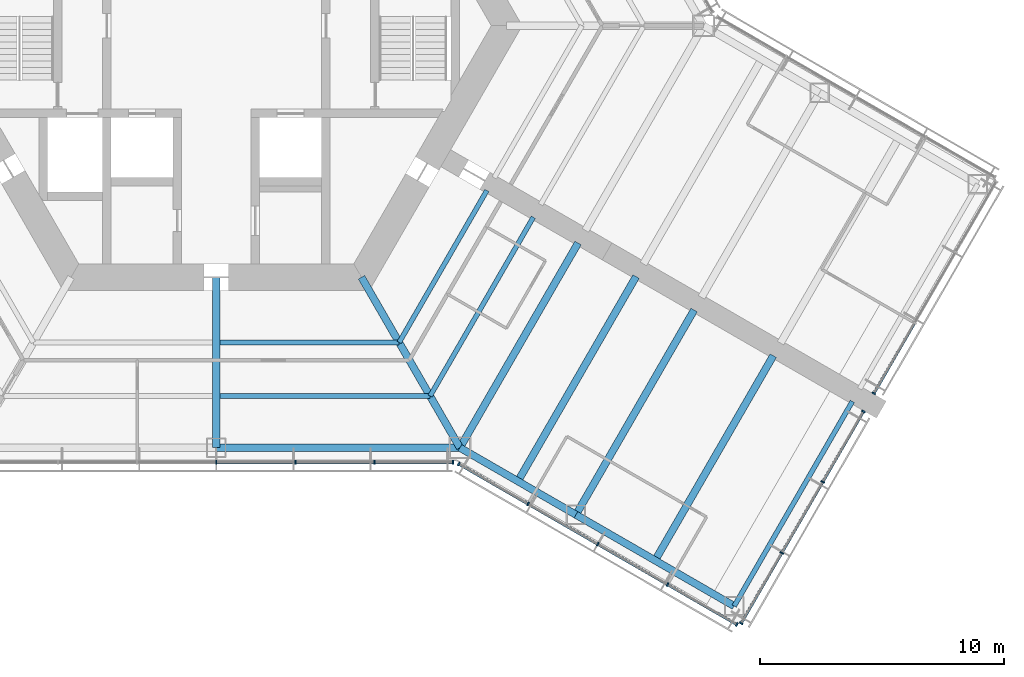
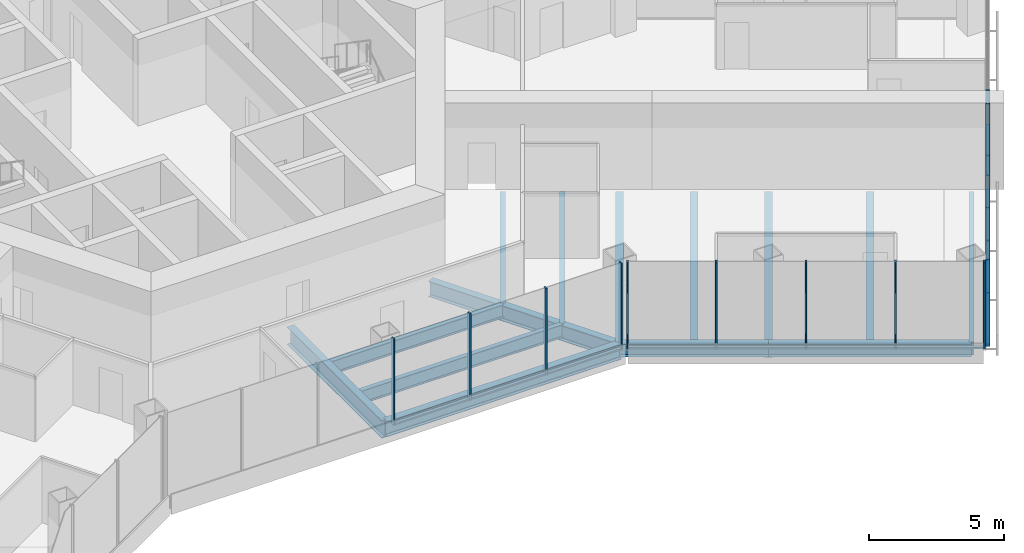
# One storey, part 5 of 19: 25 members, 14 beams, 4 elements without a shape of their own.
"""IFC4 building model written with IfcOpenShell, lengths in metres."""

from ifc_helpers import new_model, si_unit, direction, frame, origin, origin_2d, place, context, subcontext, project, spatial, rectangle, i_section, extrude, material, material_profile, profile_set, type_object, element, aggregate, save


model = new_model("IFC4")

# Units and contexts
model_context = context("Model", 3, precision=1e-05, world=origin(), true_north=direction((0.0, 1.0)))
body_context = subcontext(model_context, "Body", "Model", "MODEL_VIEW")
ifc_project = project(units=[si_unit("LENGTHUNIT", "METRE"), si_unit("AREAUNIT", "SQUARE_METRE"), si_unit("VOLUMEUNIT", "CUBIC_METRE"), si_unit("PLANEANGLEUNIT", "RADIAN"), si_unit("MASSUNIT", "GRAM", prefix="KILO")], contexts=[model_context])

# Site, building, storey
site_placement = place(None, origin())
site = spatial("IfcSite", under=ifc_project, at=site_placement, CompositionType="ELEMENT")
building_placement = place(site_placement, origin())
building = spatial("IfcBuilding", under=site, at=building_placement, Name="Kasaneha Research Tower", CompositionType="ELEMENT")
storey_placement = place(building_placement, frame((0.0, 0.0, 100.199951171875)))
storey = spatial("IfcBuildingStorey", under=building, at=storey_placement, Name="L25", CompositionType="ELEMENT", Elevation=100.199951171875)

# Beams
ifc_material_1 = material(Name="Steel SN490B", Category="steel")
ifc_material_profile_1 = material_profile(ifc_material_1, i_section(OverallWidth=0.199951171875, OverallDepth=0.60009765625, WebThickness=0.010986328125, FlangeThickness=0.01708984375, FilletRadius=0.012939453125, at=origin_2d()), Name="H-600x200x11x17")
ifc_profile_set_1 = profile_set([ifc_material_profile_1], Name="Steel SN490B")
beam_type_1 = type_object("IfcBeamType", Name="B1-3 secondary beam H-600x200x11x17", PredefinedType="JOIST", material=ifc_profile_set_1)
beam_1_placement = place(storey_placement, frame((7.505615234375, -13.0, -0.449951171875), z_axis=(-1.0, 0.0, 0.0), x_axis=(0.0, -1.0, 0.0)))
element("IfcBeam", 1, at=beam_1_placement, inside=storey, type_object=beam_type_1, Name="Secondary beam RS270R1 L25", PredefinedType="JOIST", context=body_context, shape_type="SweptSolid", body=[
    extrude(i_section(OverallWidth=0.199951171875, OverallDepth=0.60009765625, WebThickness=0.010986328125, FlangeThickness=0.01708984375, FilletRadius=0.012939453125, at=origin_2d()), origin(), (0.0, 0.0, 1.0), 7.355712890625),
])
beam_2_placement = place(storey_placement, frame((8.775634765625, -15.199951171875, -0.449951171875), z_axis=(-1.0, 0.0, 0.0), x_axis=(0.0, -1.0, 0.0)))
element("IfcBeam", 2, at=beam_2_placement, inside=storey, type_object=beam_type_1, Name="Secondary beam RS270R2 L25", PredefinedType="JOIST", context=body_context, shape_type="SweptSolid", body=[
    extrude(i_section(OverallWidth=0.199951171875, OverallDepth=0.60009765625, WebThickness=0.010986328125, FlangeThickness=0.01708984375, FilletRadius=0.012939453125, at=origin_2d()), origin(), (0.0, 0.0, 1.0), 8.625732421875),
])
beam_3_placement = place(storey_placement, frame((7.505615234375, -13.0, -0.449951171875), z_axis=(0.499998147991, 0.86602647304, 0.0), x_axis=(-0.86602647304, 0.499998147991, 0.0)))
element("IfcBeam", 3, at=beam_3_placement, inside=storey, type_object=beam_type_1, Name="Secondary beam RS330L1 L25", PredefinedType="JOIST", context=body_context, shape_type="SweptSolid", body=[
    extrude(i_section(OverallWidth=0.199951171875, OverallDepth=0.60009765625, WebThickness=0.010986328125, FlangeThickness=0.01708984375, FilletRadius=0.012939453125, at=origin_2d()), origin(), (0.0, 0.0, 1.0), 7.20556640625),
])
beam_4_placement = place(storey_placement, frame((8.775634765625, -15.199951171875, -0.449951171875), z_axis=(0.500020829043, 0.866013377797, 0.0), x_axis=(-0.866013377797, 0.500020829043, 0.0)))
element("IfcBeam", 4, at=beam_4_placement, inside=storey, type_object=beam_type_1, Name="Secondary beam RS330L2 L25", PredefinedType="JOIST", context=body_context, shape_type="SweptSolid", body=[
    extrude(i_section(OverallWidth=0.199951171875, OverallDepth=0.60009765625, WebThickness=0.010986328125, FlangeThickness=0.01708984375, FilletRadius=0.012939453125, at=origin_2d()), origin(), (0.0, 0.0, 1.0), 8.475830078125),
])
ifc_material_2 = material(Name="Steel SN490B", Category="steel")
ifc_material_profile_2 = material_profile(ifc_material_2, i_section(OverallWidth=0.300048828125, OverallDepth=0.58203125, WebThickness=0.011962890625, FlangeThickness=0.01708984375, FilletRadius=0.012939453125, at=origin_2d()), Name="H-582x300x12x17")
ifc_profile_set_2 = profile_set([ifc_material_profile_2], Name="Steel SN490B")
beam_type_2 = type_object("IfcBeamType", Name="B2-3 secondary beam H-582x300x12x17", PredefinedType="JOIST", material=ifc_profile_set_2)
for number, where, z_axis, x_axis, name in (
    (5, (12.381591796875, -18.695556640625, -0.44091796875), (0.500010041276, 0.866019606374, 0.0), (-0.866019606374, 0.500010041276, 0.0), "Secondary beam WBCP1 L25"),
    (6, (18.0107421875, -21.945556640625, -0.44091796875), (0.500010041276, 0.866019606374, 0.0), (-0.866019606374, 0.500010041276, 0.0), "Secondary beam WBCP2 L25"),
):
    element("IfcBeam", number, at=place(storey_placement, frame(where, z_axis=z_axis, x_axis=x_axis)), inside=storey, type_object=beam_type_2, Name=name, PredefinedType="JOIST", context=body_context, shape_type="SweptSolid", body=[
        extrude(i_section(OverallWidth=0.300048828125, OverallDepth=0.58203125, WebThickness=0.011962890625, FlangeThickness=0.01708984375, FilletRadius=0.012939453125, at=origin_2d()), origin(), (0.0, 0.0, 1.0), 9.699951171875),
    ])

# Curtain wall, members
ifc_material_3 = material(Name="Glass and aluminium", Category="aluminium")
curtain_wall_type = type_object("IfcCurtainWallType", Name="Low-rise office curtain wall", PredefinedType="USERDEFINED", material=ifc_material_3)
curtain_wall_1_placement = place(storey_placement, origin())
curtain_wall_1 = element("IfcCurtainWall", 7, at=curtain_wall_1_placement, inside=storey, type_object=curtain_wall_type, Name="CW-O1 L25 run 02a", ObjectType="UNITISED CURTAIN WALL", PredefinedType="USERDEFINED")
ifc_material_4 = material(Name="Aluminium 6063-T6", Category="aluminium")
ifc_material_profile_3 = material_profile(ifc_material_4, rectangle(XDim=0.06005859375, YDim=0.159912109375, at=origin_2d()), Name="CW-O1 mullion 60x160")
ifc_profile_set_3 = profile_set([ifc_material_profile_3], Name="Aluminium 6063-T6")
member_type_1 = type_object("IfcMemberType", Name="CW-O1 mullion", PredefinedType="MULLION", material=ifc_profile_set_3)
member_1_placement = place(storey_placement, frame((0.0, -17.92041015625, 0.0), z_axis=(0.0, 0.0, 1.0), x_axis=(1.0, 0.0, 0.0)))
member_1 = element("IfcMember", 8, at=member_1_placement, type_object=member_type_1, Name="CW-O1 mullion 4", PredefinedType="MULLION", context=body_context, shape_type="SweptSolid", body=[
    extrude(rectangle(XDim=0.06005859375, YDim=0.159912109375, at=origin_2d()), origin(), (0.0, 0.0, 1.0), 3.900146484375),
])
member_2_placement = place(storey_placement, frame((3.246337890625, -17.92041015625, 0.0), z_axis=(0.0, 0.0, 1.0), x_axis=(1.0, 0.0, 0.0)))
member_2 = element("IfcMember", 9, at=member_2_placement, type_object=member_type_1, Name="CW-O1 mullion 5", PredefinedType="MULLION", context=body_context, shape_type="SweptSolid", body=[
    extrude(rectangle(XDim=0.06005859375, YDim=0.159912109375, at=origin_2d()), origin(), (0.0, 0.0, 1.0), 3.900146484375),
])
member_3_placement = place(storey_placement, frame((6.492919921875, -17.92041015625, 0.0), z_axis=(0.0, 0.0, 1.0), x_axis=(1.0, 0.0, 0.0)))
member_3 = element("IfcMember", 10, at=member_3_placement, type_object=member_type_1, Name="CW-O1 mullion 6", PredefinedType="MULLION", context=body_context, shape_type="SweptSolid", body=[
    extrude(rectangle(XDim=0.06005859375, YDim=0.159912109375, at=origin_2d()), origin(), (0.0, 0.0, 1.0), 3.900146484375),
])
member_4_placement = place(storey_placement, frame((9.709228515625, -17.92041015625, 0.0), z_axis=(0.0, 0.0, 1.0), x_axis=(1.0, 0.0, 0.0)))
member_4 = element("IfcMember", 11, at=member_4_placement, type_object=member_type_1, Name="CW-O1 mullion 7", PredefinedType="MULLION", context=body_context, shape_type="SweptSolid", body=[
    extrude(rectangle(XDim=0.06005859375, YDim=0.159912109375, at=origin_2d()), origin(), (0.0, 0.0, 1.0), 3.900146484375),
])

curtain_wall_2_placement = place(storey_placement, origin())
curtain_wall_2 = element("IfcCurtainWall", 12, at=curtain_wall_2_placement, inside=storey, type_object=curtain_wall_type, Name="CW-O1 L25 run 03a", ObjectType="UNITISED CURTAIN WALL", PredefinedType="USERDEFINED")
member_5_placement = place(storey_placement, frame((9.951904296875, -17.985595703125, 0.0), z_axis=(0.0, 0.0, 1.0), x_axis=(0.866025411464, -0.499999986699, 0.0)))
member_5 = element("IfcMember", 13, at=member_5_placement, type_object=member_type_1, Name="CW-O1 mullion 1", PredefinedType="MULLION", context=body_context, shape_type="SweptSolid", body=[
    extrude(rectangle(XDim=0.06005859375, YDim=0.159912109375, at=origin_2d()), origin(), (0.0, 0.0, 1.0), 3.900146484375),
])
member_6_placement = place(storey_placement, frame((12.792236328125, -19.62548828125, 0.0), z_axis=(0.0, 0.0, 1.0), x_axis=(0.866025411464, -0.499999986699, 0.0)))
member_6 = element("IfcMember", 14, at=member_6_placement, type_object=member_type_1, Name="CW-O1 mullion 2", PredefinedType="MULLION", context=body_context, shape_type="SweptSolid", body=[
    extrude(rectangle(XDim=0.06005859375, YDim=0.159912109375, at=origin_2d()), origin(), (0.0, 0.0, 1.0), 3.900146484375),
])
member_7_placement = place(storey_placement, frame((15.65869140625, -21.2802734375, 0.0), z_axis=(0.0, 0.0, 1.0), x_axis=(0.866025411464, -0.499999986699, 0.0)))
member_7 = element("IfcMember", 15, at=member_7_placement, type_object=member_type_1, Name="CW-O1 mullion 3", PredefinedType="MULLION", context=body_context, shape_type="SweptSolid", body=[
    extrude(rectangle(XDim=0.06005859375, YDim=0.159912109375, at=origin_2d()), origin(), (0.0, 0.0, 1.0), 3.900146484375),
])
member_8_placement = place(storey_placement, frame((18.52490234375, -22.935302734375, 0.0), z_axis=(0.0, 0.0, 1.0), x_axis=(0.866025411464, -0.499999986699, 0.0)))
member_8 = element("IfcMember", 16, at=member_8_placement, type_object=member_type_1, Name="CW-O1 mullion 4", PredefinedType="MULLION", context=body_context, shape_type="SweptSolid", body=[
    extrude(rectangle(XDim=0.06005859375, YDim=0.159912109375, at=origin_2d()), origin(), (0.0, 0.0, 1.0), 3.900146484375),
])
member_9_placement = place(storey_placement, frame((21.365478515625, -24.5751953125, 0.0), z_axis=(0.0, 0.0, 1.0), x_axis=(0.866025411464, -0.499999986699, 0.0)))
member_9 = element("IfcMember", 17, at=member_9_placement, type_object=member_type_1, Name="CW-O1 mullion 5", PredefinedType="MULLION", context=body_context, shape_type="SweptSolid", body=[
    extrude(rectangle(XDim=0.06005859375, YDim=0.159912109375, at=origin_2d()), origin(), (0.0, 0.0, 1.0), 3.900146484375),
])

curtain_wall_3_placement = place(storey_placement, origin())
curtain_wall_3 = element("IfcCurtainWall", 18, at=curtain_wall_3_placement, inside=storey, type_object=curtain_wall_type, Name="CW-O1 L25 run 04a", ObjectType="UNITISED CURTAIN WALL", PredefinedType="USERDEFINED")
member_10_placement = place(storey_placement, frame((21.54296875, -24.527587890625, 0.0), z_axis=(0.0, 0.0, 1.0), x_axis=(0.500000011442, 0.866025397178, 0.0)))
member_10 = element("IfcMember", 19, at=member_10_placement, type_object=member_type_1, Name="CW-O1 mullion 1", PredefinedType="MULLION", context=body_context, shape_type="SweptSolid", body=[
    extrude(rectangle(XDim=0.06005859375, YDim=0.159912109375, at=origin_2d()), origin(), (0.0, 0.0, 1.0), 3.900146484375),
])
member_11_placement = place(storey_placement, frame((23.211181640625, -21.637939453125, 0.0), z_axis=(0.0, 0.0, 1.0), x_axis=(0.500000011442, 0.866025397178, 0.0)))
member_11 = element("IfcMember", 20, at=member_11_placement, type_object=member_type_1, Name="CW-O1 mullion 2", PredefinedType="MULLION", context=body_context, shape_type="SweptSolid", body=[
    extrude(rectangle(XDim=0.06005859375, YDim=0.159912109375, at=origin_2d()), origin(), (0.0, 0.0, 1.0), 3.900146484375),
])
member_12_placement = place(storey_placement, frame((24.89453125, -18.72216796875, 0.0), z_axis=(0.0, 0.0, 1.0), x_axis=(0.500000011442, 0.866025397178, 0.0)))
member_12 = element("IfcMember", 21, at=member_12_placement, type_object=member_type_1, Name="CW-O1 mullion 3", PredefinedType="MULLION", context=body_context, shape_type="SweptSolid", body=[
    extrude(rectangle(XDim=0.06005859375, YDim=0.159912109375, at=origin_2d()), origin(), (0.0, 0.0, 1.0), 3.900146484375),
])
member_13_placement = place(storey_placement, frame((26.56298828125, -15.832763671875, 0.0), z_axis=(0.0, 0.0, 1.0), x_axis=(0.500000011442, 0.866025397178, 0.0)))
member_13 = element("IfcMember", 22, at=member_13_placement, type_object=member_type_1, Name="CW-O1 mullion 4", PredefinedType="MULLION", context=body_context, shape_type="SweptSolid", body=[
    extrude(rectangle(XDim=0.06005859375, YDim=0.159912109375, at=origin_2d()), origin(), (0.0, 0.0, 1.0), 3.900146484375),
])

# Curtain wall, member
curtain_wall_4_placement = place(storey_placement, origin())
curtain_wall_4 = element("IfcCurtainWall", 23, at=curtain_wall_4_placement, inside=storey, type_object=curtain_wall_type, Name="CW-O1 L25 run 05a", ObjectType="UNITISED CURTAIN WALL", PredefinedType="USERDEFINED")
member_14_placement = place(storey_placement, frame((26.992919921875, -15.087890625, 0.0), z_axis=(0.0, 0.0, 1.0), x_axis=(0.500000011442, 0.866025397178, 0.0)))
member_14 = element("IfcMember", 24, at=member_14_placement, type_object=member_type_1, Name="CW-O1 mullion 1", PredefinedType="MULLION", context=body_context, shape_type="SweptSolid", body=[
    extrude(rectangle(XDim=0.06005859375, YDim=0.159912109375, at=origin_2d()), origin(), (0.0, 0.0, 1.0), 3.900146484375),
])

# Member
ifc_material_5 = material(Name="Aluminium 6063-T6", Category="aluminium")
ifc_material_profile_4 = material_profile(ifc_material_5, rectangle(XDim=0.1201171875, YDim=0.06005859375, at=origin_2d()), Name="CW-O1 transom 120x60")
ifc_profile_set_4 = profile_set([ifc_material_profile_4], Name="Aluminium 6063-T6")
member_type_2 = type_object("IfcMemberType", Name="CW-O1 transom", PredefinedType="USERDEFINED", material=ifc_profile_set_4)
member_15_placement = place(storey_placement, frame((0.030029296875, -17.92041015625, 0.030029296875), z_axis=(1.0, 0.0, 0.0), x_axis=(0.0, 1.0, 0.0)))
member_15 = element("IfcMember", 25, at=member_15_placement, type_object=member_type_2, Name="CW-O1 transom 4", ObjectType="TRANSOM", PredefinedType="USERDEFINED", context=body_context, shape_type="SweptSolid", body=[
    extrude(rectangle(XDim=0.1201171875, YDim=0.06005859375, at=origin_2d()), origin(), (0.0, 0.0, 1.0), 3.186279296875),
])

member_16_placement = place(storey_placement, frame((3.2763671875, -17.92041015625, 0.030029296875), z_axis=(1.0, 0.0, 0.0), x_axis=(0.0, 1.0, 0.0)))
member_16 = element("IfcMember", 26, at=member_16_placement, type_object=member_type_2, Name="CW-O1 transom 5", ObjectType="TRANSOM", PredefinedType="USERDEFINED", context=body_context, shape_type="SweptSolid", body=[
    extrude(rectangle(XDim=0.1201171875, YDim=0.06005859375, at=origin_2d()), origin(), (0.0, 0.0, 1.0), 3.1865234375),
])

member_17_placement = place(storey_placement, frame((6.522705078125, -17.92041015625, 0.030029296875), z_axis=(1.0, 0.0, 0.0), x_axis=(0.0, 1.0, 0.0)))
member_17 = element("IfcMember", 27, at=member_17_placement, type_object=member_type_2, Name="CW-O1 transom 6", ObjectType="TRANSOM", PredefinedType="USERDEFINED", context=body_context, shape_type="SweptSolid", body=[
    extrude(rectangle(XDim=0.1201171875, YDim=0.06005859375, at=origin_2d()), origin(), (0.0, 0.0, 1.0), 3.156494140625),
])

aggregate(curtain_wall_1, [member_1, member_2, member_3, member_4, member_15, member_16, member_17])

member_18_placement = place(storey_placement, frame((9.977783203125, -18.00048828125, 0.030029296875), z_axis=(0.866022692473, -0.500004696101, 0.0), x_axis=(0.500004696101, 0.866022692473, 0.0)))
member_18 = element("IfcMember", 28, at=member_18_placement, type_object=member_type_2, Name="CW-O1 transom 1", ObjectType="TRANSOM", PredefinedType="USERDEFINED", context=body_context, shape_type="SweptSolid", body=[
    extrude(rectangle(XDim=0.1201171875, YDim=0.06005859375, at=origin_2d()), origin(), (0.0, 0.0, 1.0), 3.2197265625),
])

member_19_placement = place(storey_placement, frame((12.818115234375, -19.640380859375, 0.030029296875), z_axis=(0.866015446554, -0.500017246033, 0.0), x_axis=(0.500017246033, 0.866015446554, 0.0)))
member_19 = element("IfcMember", 29, at=member_19_placement, type_object=member_type_2, Name="CW-O1 transom 2", ObjectType="TRANSOM", PredefinedType="USERDEFINED", context=body_context, shape_type="SweptSolid", body=[
    extrude(rectangle(XDim=0.1201171875, YDim=0.06005859375, at=origin_2d()), origin(), (0.0, 0.0, 1.0), 3.25),
])

member_20_placement = place(storey_placement, frame((15.6845703125, -21.29541015625, 0.030029296875), z_axis=(0.86604797581, -0.499960902066, 0.0), x_axis=(0.499960902066, 0.86604797581, 0.0)))
member_20 = element("IfcMember", 30, at=member_20_placement, type_object=member_type_2, Name="CW-O1 transom 3", ObjectType="TRANSOM", PredefinedType="USERDEFINED", context=body_context, shape_type="SweptSolid", body=[
    extrude(rectangle(XDim=0.1201171875, YDim=0.06005859375, at=origin_2d()), origin(), (0.0, 0.0, 1.0), 3.249755859375),
])

member_21_placement = place(storey_placement, frame((18.551025390625, -22.9501953125, 0.030029296875), z_axis=(0.866022692473, -0.500004696101, 0.0), x_axis=(0.500004696101, 0.866022692473, 0.0)))
member_21 = element("IfcMember", 31, at=member_21_placement, type_object=member_type_2, Name="CW-O1 transom 4", ObjectType="TRANSOM", PredefinedType="USERDEFINED", context=body_context, shape_type="SweptSolid", body=[
    extrude(rectangle(XDim=0.1201171875, YDim=0.06005859375, at=origin_2d()), origin(), (0.0, 0.0, 1.0), 3.2197265625),
])

aggregate(curtain_wall_2, [member_5, member_6, member_7, member_8, member_9, member_18, member_19, member_20, member_21])

member_22_placement = place(storey_placement, frame((21.557861328125, -24.50146484375, 0.030029296875), z_axis=(0.500025583411, 0.866010632691, 0.0), x_axis=(-0.866010632691, 0.500025583411, 0.0)))
member_22 = element("IfcMember", 32, at=member_22_placement, type_object=member_type_2, Name="CW-O1 transom 1", ObjectType="TRANSOM", PredefinedType="USERDEFINED", context=body_context, shape_type="SweptSolid", body=[
    extrude(rectangle(XDim=0.1201171875, YDim=0.06005859375, at=origin_2d()), origin(), (0.0, 0.0, 1.0), 3.276611328125),
])

member_23_placement = place(storey_placement, frame((23.226318359375, -21.61181640625, 0.030029296875), z_axis=(0.500014325468, 0.866017132814, 0.0), x_axis=(-0.866017132814, 0.500014325468, 0.0)))
member_23 = element("IfcMember", 33, at=member_23_placement, type_object=member_type_2, Name="CW-O1 transom 2", ObjectType="TRANSOM", PredefinedType="USERDEFINED", context=body_context, shape_type="SweptSolid", body=[
    extrude(rectangle(XDim=0.1201171875, YDim=0.06005859375, at=origin_2d()), origin(), (0.0, 0.0, 1.0), 3.306640625),
])

member_24_placement = place(storey_placement, frame((24.90966796875, -18.6962890625, 0.030029296875), z_axis=(0.499969700927, 0.866042896256, 0.0), x_axis=(-0.866042896256, 0.499969700927, 0.0)))
member_24 = element("IfcMember", 34, at=member_24_placement, type_object=member_type_2, Name="CW-O1 transom 3", ObjectType="TRANSOM", PredefinedType="USERDEFINED", context=body_context, shape_type="SweptSolid", body=[
    extrude(rectangle(XDim=0.1201171875, YDim=0.06005859375, at=origin_2d()), origin(), (0.0, 0.0, 1.0), 3.276611328125),
])

aggregate(curtain_wall_3, [member_10, member_11, member_12, member_13, member_22, member_23, member_24])

member_25_placement = place(storey_placement, frame((27.008056640625, -15.061767578125, 0.030029296875), z_axis=(0.499969700927, 0.866042896256, 0.0), x_axis=(-0.866042896256, 0.499969700927, 0.0)))
member_25 = element("IfcMember", 35, at=member_25_placement, type_object=member_type_2, Name="CW-O1 transom 1", ObjectType="TRANSOM", PredefinedType="USERDEFINED", context=body_context, shape_type="SweptSolid", body=[
    extrude(rectangle(XDim=0.1201171875, YDim=0.06005859375, at=origin_2d()), origin(), (0.0, 0.0, 1.0), 3.276611328125),
])

aggregate(curtain_wall_4, [member_14, member_25])

# Beams
ifc_material_6 = material(Name="Steel SN490B", Category="steel")
ifc_material_profile_5 = material_profile(ifc_material_6, i_section(OverallWidth=0.300048828125, OverallDepth=0.699951171875, WebThickness=0.012939453125, FlangeThickness=0.02392578125, FilletRadius=0.01806640625, at=origin_2d()), Name="H-700x300x13x24")
ifc_profile_set_5 = profile_set([ifc_material_profile_5], Name="Steel SN490B")
beam_type_3 = type_object("IfcBeamType", Name="G1-3 radial girder H-700x300x13x24", PredefinedType="BEAM", material=ifc_profile_set_5)
beam_5_placement = place(storey_placement, frame((5.961181640625, -10.324951171875, -0.5), z_axis=(0.49999105496, -0.866030568144, 0.0), x_axis=(0.866030568144, 0.49999105496, 0.0)))
element("IfcBeam", 36, at=beam_5_placement, inside=storey, type_object=beam_type_3, Name="Radial girder RV300 L25", PredefinedType="BEAM", context=body_context, shape_type="SweptSolid", body=[
    extrude(i_section(OverallWidth=0.300048828125, OverallDepth=0.699951171875, WebThickness=0.012939453125, FlangeThickness=0.02392578125, FilletRadius=0.01806640625, at=origin_2d()), origin(), (0.0, 0.0, 1.0), 8.077880859375),
])
ifc_material_7 = material(Name="Steel SN490B", Category="steel")
ifc_material_profile_6 = material_profile(ifc_material_7, i_section(OverallWidth=0.300048828125, OverallDepth=0.800048828125, WebThickness=0.013916015625, FlangeThickness=0.02587890625, FilletRadius=0.01806640625, at=origin_2d()), Name="H-800x300x14x26")
ifc_profile_set_6 = profile_set([ifc_material_profile_6], Name="Steel SN490B")
beam_type_4 = type_object("IfcBeamType", Name="G2-3 radial girder H-800x300x14x26", PredefinedType="BEAM", material=ifc_profile_set_6)
beam_6_placement = place(storey_placement, frame((0.0, -10.324951171875, -0.550048828125), z_axis=(0.0, -1.0, 0.0), x_axis=(1.0, 0.0, 0.0)))
element("IfcBeam", 37, at=beam_6_placement, inside=storey, type_object=beam_type_4, Name="Radial girder RM270 L25", PredefinedType="BEAM", context=body_context, shape_type="SweptSolid", body=[
    extrude(i_section(OverallWidth=0.300048828125, OverallDepth=0.800048828125, WebThickness=0.013916015625, FlangeThickness=0.02587890625, FilletRadius=0.01806640625, at=origin_2d()), origin(), (0.0, 0.0, 1.0), 6.99560546875),
])
ifc_material_8 = material(Name="Steel SN490B", Category="steel")
ifc_material_profile_7 = material_profile(ifc_material_8, i_section(OverallWidth=0.300048828125, OverallDepth=0.69189453125, WebThickness=0.012939453125, FlangeThickness=0.02001953125, FilletRadius=0.01806640625, at=origin_2d()), Name="H-692x300x13x20")
ifc_profile_set_7 = profile_set([ifc_material_profile_7], Name="Steel SN490B")
beam_type_5 = type_object("IfcBeamType", Name="G3-3 plate edge girder H-692x300x13x20", PredefinedType="BEAM", material=ifc_profile_set_7)
beam_7_placement = place(storey_placement, frame((10.0, -17.320556640625, -0.495849609375), z_axis=(0.500010041276, 0.866019606374, 0.0), x_axis=(-0.866019606374, 0.500010041276, 0.0)))
element("IfcBeam", 38, at=beam_7_placement, inside=storey, type_object=beam_type_5, Name="Plate edge girder PECP L25", PredefinedType="BEAM", context=body_context, shape_type="SweptSolid", body=[
    extrude(i_section(OverallWidth=0.300048828125, OverallDepth=0.69189453125, WebThickness=0.012939453125, FlangeThickness=0.02001953125, FilletRadius=0.01806640625, at=origin_2d()), origin(), (0.0, 0.0, 1.0), 9.699951171875),
])
ifc_material_9 = material(Name="Steel SN490B", Category="steel")
ifc_material_profile_8 = material_profile(ifc_material_9, i_section(OverallWidth=0.300048828125, OverallDepth=0.699951171875, WebThickness=0.012939453125, FlangeThickness=0.02392578125, FilletRadius=0.01806640625, at=origin_2d()), Name="H-700x300x13x24")
ifc_profile_set_8 = profile_set([ifc_material_profile_8], Name="Steel SN490B")
beam_type_6 = type_object("IfcBeamType", Name="G4-3 wing girder H-700x300x13x24", PredefinedType="BEAM", material=ifc_profile_set_8)
beam_8_placement = place(storey_placement, frame((14.76318359375, -20.070556640625, -0.5), z_axis=(0.499991164321, 0.866030505006, 0.0), x_axis=(-0.866030505006, 0.499991164321, 0.0)))
element("IfcBeam", 39, at=beam_8_placement, inside=storey, type_object=beam_type_6, Name="Wing girder WGCP L25", PredefinedType="BEAM", context=body_context, shape_type="SweptSolid", body=[
    extrude(i_section(OverallWidth=0.300048828125, OverallDepth=0.699951171875, WebThickness=0.012939453125, FlangeThickness=0.02392578125, FilletRadius=0.01806640625, at=origin_2d()), origin(), (0.0, 0.0, 1.0), 9.699951171875),
])
ifc_material_10 = material(Name="Steel SN490B", Category="steel")
ifc_material_profile_9 = material_profile(ifc_material_10, i_section(OverallWidth=0.300048828125, OverallDepth=0.69189453125, WebThickness=0.012939453125, FlangeThickness=0.02001953125, FilletRadius=0.01806640625, at=origin_2d()), Name="H-692x300x13x20")
ifc_profile_set_9 = profile_set([ifc_material_profile_9], Name="Steel SN490B")
beam_type_7 = type_object("IfcBeamType", Name="SB1-3 spandrel beam H-692x300x13x20", PredefinedType="SPANDREL", material=ifc_profile_set_9)
beam_9_placement = place(storey_placement, frame((10.0, -17.320556640625, -0.495849609375), z_axis=(-1.0, 0.0, 0.0), x_axis=(0.0, -1.0, 0.0)))
element("IfcBeam", 40, at=beam_9_placement, inside=storey, type_object=beam_type_7, Name="Spandrel beam SR270R L25", PredefinedType="SPANDREL", context=body_context, shape_type="SweptSolid", body=[
    extrude(i_section(OverallWidth=0.300048828125, OverallDepth=0.69189453125, WebThickness=0.012939453125, FlangeThickness=0.02001953125, FilletRadius=0.01806640625, at=origin_2d()), origin(), (0.0, 0.0, 1.0), 10.0),
])
ifc_material_11 = material(Name="Steel SN490B", Category="steel")
ifc_material_profile_10 = material_profile(ifc_material_11, i_section(OverallWidth=0.300048828125, OverallDepth=0.58203125, WebThickness=0.011962890625, FlangeThickness=0.01708984375, FilletRadius=0.012939453125, at=origin_2d()), Name="H-582x300x12x17")
ifc_profile_set_10 = profile_set([ifc_material_profile_10], Name="Steel SN490B")
beam_type_8 = type_object("IfcBeamType", Name="SB2-3 spandrel beam H-582x300x12x17", PredefinedType="SPANDREL", material=ifc_profile_set_10)
beam_10_placement = place(storey_placement, frame((10.0, -17.320556640625, -0.44091796875), z_axis=(0.866027397988, -0.499996545922, 0.0), x_axis=(0.499996545922, 0.866027397988, 0.0)))
element("IfcBeam", 41, at=beam_10_placement, inside=storey, type_object=beam_type_8, Name="Spandrel beam WSCP1 L25", PredefinedType="SPANDREL", context=body_context, shape_type="SweptSolid", body=[
    extrude(i_section(OverallWidth=0.300048828125, OverallDepth=0.58203125, WebThickness=0.011962890625, FlangeThickness=0.01708984375, FilletRadius=0.012939453125, at=origin_2d()), origin(), (0.0, 0.0, 1.0), 5.5),
])
beam_11_placement = place(storey_placement, frame((14.76318359375, -20.070556640625, -0.44091796875), z_axis=(0.866022959057, -0.500004234368, 0.0), x_axis=(0.500004234368, 0.866022959057, 0.0)))
element("IfcBeam", 42, at=beam_11_placement, inside=storey, type_object=beam_type_8, Name="Spandrel beam WSCP2 L25", PredefinedType="SPANDREL", context=body_context, shape_type="SweptSolid", body=[
    extrude(i_section(OverallWidth=0.300048828125, OverallDepth=0.58203125, WebThickness=0.011962890625, FlangeThickness=0.01708984375, FilletRadius=0.012939453125, at=origin_2d()), origin(), (0.0, 0.0, 1.0), 7.5),
])
ifc_material_12 = material(Name="Steel SN490B", Category="steel")
ifc_material_profile_11 = material_profile(ifc_material_12, i_section(OverallWidth=0.199951171875, OverallDepth=0.60009765625, WebThickness=0.010986328125, FlangeThickness=0.01708984375, FilletRadius=0.012939453125, at=origin_2d()), Name="H-600x200x11x17")
ifc_profile_set_11 = profile_set([ifc_material_profile_11], Name="Steel SN490B")
beam_type_9 = type_object("IfcBeamType", Name="SB3-3 spandrel beam H-600x200x11x17", PredefinedType="SPANDREL", material=ifc_profile_set_11)
beam_12_placement = place(storey_placement, frame((21.25830078125, -23.820556640625, -0.449951171875), z_axis=(0.500010041276, 0.866019606374, 0.0), x_axis=(-0.866019606374, 0.500010041276, 0.0)))
element("IfcBeam", 43, at=beam_12_placement, inside=storey, type_object=beam_type_9, Name="Spandrel beam WTCP L25", PredefinedType="SPANDREL", context=body_context, shape_type="SweptSolid", body=[
    extrude(i_section(OverallWidth=0.199951171875, OverallDepth=0.60009765625, WebThickness=0.010986328125, FlangeThickness=0.01708984375, FilletRadius=0.012939453125, at=origin_2d()), origin(), (0.0, 0.0, 1.0), 9.699951171875),
])

save(model, "model.ifc")
